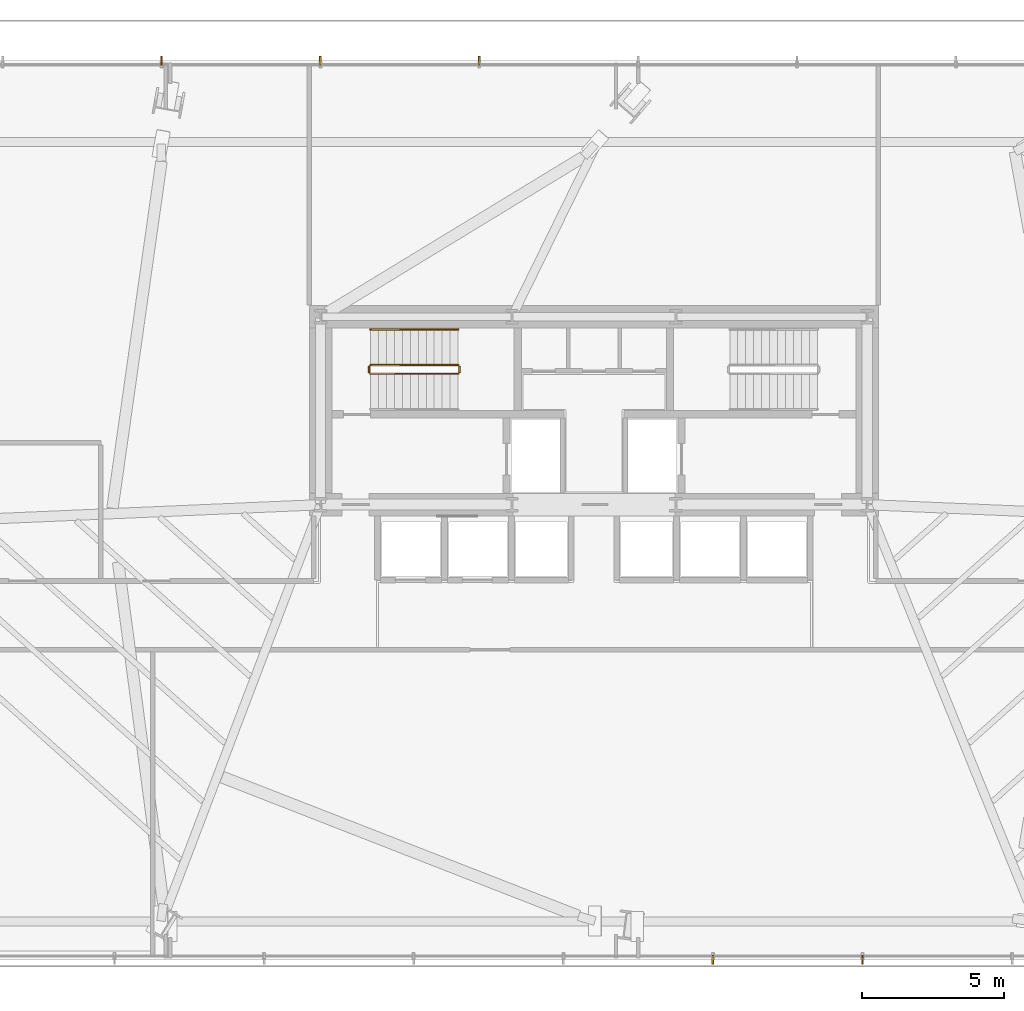
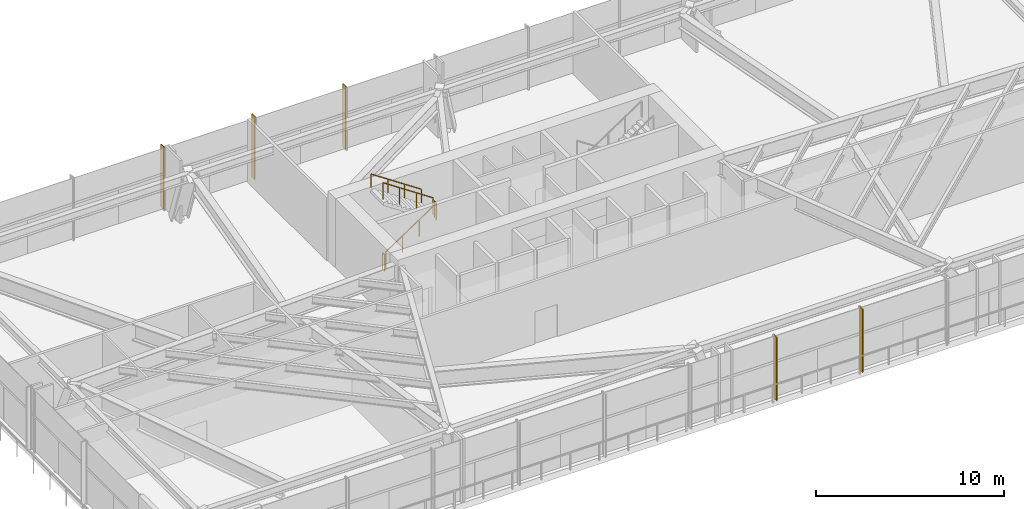
# One storey, part 25 of 30: 5 railings, 5 shading devices.
"""IFC4 building model written with IfcOpenShell, lengths in metres."""

from ifc_helpers import new_model, si_unit, direction, frame, origin, origin_2d, place, context, subcontext, project, spatial, rectangle, extrude, source, transform, mapped, material, type_object, type_shapes, element, save


model = new_model("IFC4")

# Units and contexts
model_context = context("Model", 3, precision=1e-05, world=origin(), true_north=direction((0.0, 1.0)))
body_context = subcontext(model_context, "Body", "Model", "MODEL_VIEW")
ifc_project = project(units=[si_unit("LENGTHUNIT", "METRE"), si_unit("AREAUNIT", "SQUARE_METRE"), si_unit("VOLUMEUNIT", "CUBIC_METRE"), si_unit("PLANEANGLEUNIT", "RADIAN"), si_unit("MASSUNIT", "GRAM", prefix="KILO")], contexts=[model_context])

# Site, building, storey
site_placement = place(None, origin())
site = spatial("IfcSite", under=ifc_project, at=site_placement, CompositionType="ELEMENT")
building_placement = place(site_placement, origin())
building = spatial("IfcBuilding", under=site, at=building_placement, Name="Astriad Promenade Condominiums", CompositionType="ELEMENT")
storey_placement = place(building_placement, frame((0.0, 0.0, 14.0)))
storey = spatial("IfcBuildingStorey", under=building, at=storey_placement, Name="L03", CompositionType="ELEMENT", Elevation=14.0)

# Shading devices
ifc_material_1 = material(Name="Anodised aluminium 6063-T6 Black Fin", Category="aluminium")
shading_device_type = type_object("IfcShadingDeviceType", Name="FIN-BLACK-320", PredefinedType="USERDEFINED", material=ifc_material_1)
shared_shape_1 = source(origin(), body_context, "Body", "SweptSolid", [
    extrude(rectangle(XDim=0.06494140625, YDim=0.320068359375, at=origin_2d()), origin(), (0.0, 0.0, 1.0), 4.080078125),
])
type_shapes(shading_device_type, [shared_shape_1])
for number, where, z_axis, x_axis, name in (
    (1, (20.81005859375, 32.989990234375, 0.0), (0.0, 0.0, 1.0), (1.0, 0.0, 0.0), "CW-L03-N-FIN-02"),
    (2, (26.389892578125, 32.989990234375, 0.0), (0.0, 0.0, 1.0), (1.0, 0.0, 0.0), "CW-L03-N-FIN-03"),
    (3, (31.969970703125, 32.989990234375, 0.0), (0.0, 0.0, 1.0), (1.0, 0.0, 0.0), "CW-L03-N-FIN-04"),
    (4, (45.431884765625, 1.409912109375, 0.0), (0.0, 0.0, 1.0), (-1.0, 0.0, 0.0), "CW-L03-S-FIN-04"),
    (5, (40.17724609375, 1.409912109375, 0.0), (0.0, 0.0, 1.0), (-1.0, 0.0, 0.0), "CW-L03-S-FIN-05"),
):
    element("IfcShadingDevice", number, at=place(storey_placement, frame(where, z_axis=z_axis, x_axis=x_axis)), inside=storey, type_object=shading_device_type, Name=name, ObjectType="FIN", PredefinedType="USERDEFINED", context=body_context, shape_type="MappedRepresentation", body=[
        mapped(shared_shape_1, transform((0.0, 0.0, 0.0), scale=1.0)),
    ])

# Railings
ifc_material_2 = material(Name="Painted Galvanised Steel Guardrail", Category="steel")
railing_type_1 = type_object("IfcRailingType", Name="GRD-STAIR-1100", PredefinedType="GUARDRAIL", material=ifc_material_2)
shared_shape_2 = source(origin(), body_context, "Body", "SweptSolid", [
    extrude(rectangle(XDim=0.048095703125, YDim=0.048095703125, at=origin_2d()), frame((0.0, 0.0, 1.076171875), z_axis=(0.0, 1.0, 0.0), x_axis=(-1.0, 0.0, 0.0)), (0.0, 0.0, 1.0), 0.199951171875),
    extrude(rectangle(XDim=0.0419921875, YDim=0.0419921875, at=origin_2d()), origin(), (0.0, 0.0, 1.0), 1.052001953125),
    extrude(rectangle(XDim=0.0419921875, YDim=0.0419921875, at=origin_2d()), frame((0.0, 0.199951171875, 0.0)), (0.0, 0.0, 1.0), 1.052001953125),
])
for number, where, name in (
    (6, (31.280029296875, 22.050048828125, 2.25), "L03 ST-1 stair guard 2"),
    (7, (28.10009765625, 22.050048828125, 0.0), "L03 ST-1 stair guard 4"),
):
    element("IfcRailing", number, at=place(storey_placement, frame(where)), inside=storey, type_object=railing_type_1, Name=name, PredefinedType="GUARDRAIL", context=body_context, shape_type="MappedRepresentation", body=[
        mapped(shared_shape_2, transform((0.0, 0.0, 0.0), scale=1.0)),
    ])
shared_shape_3 = source(origin(), body_context, "Body", "SweptSolid", [
    extrude(rectangle(XDim=0.048095703125, YDim=0.048095703125, at=origin_2d()), frame((0.0, 0.0, 1.076171875), z_axis=(0.830913701846, 0.0, 0.55640131208), x_axis=(0.0, 1.0, 0.0)), (0.0, 0.0, 1.0), 3.706787109375),
    extrude(rectangle(XDim=0.0419921875, YDim=0.0419921875, at=origin_2d()), origin(), (0.0, 0.0, 1.0), 1.052001953125),
    extrude(rectangle(XDim=0.0419921875, YDim=0.0419921875, at=origin_2d()), frame((1.026611328125, 0.0, 0.6875)), (0.0, 0.0, 1.0), 1.052001953125),
    extrude(rectangle(XDim=0.0419921875, YDim=0.0419921875, at=origin_2d()), frame((2.053466796875, 0.0, 1.375)), (0.0, 0.0, 1.0), 1.052001953125),
    extrude(rectangle(XDim=0.0419921875, YDim=0.0419921875, at=origin_2d()), frame((3.080078125, 0.0, 2.0625)), (0.0, 0.0, 1.0), 1.052001953125),
])
railing_1_placement = place(storey_placement, frame((28.14990234375, 22.0, 0.1875)))
element("IfcRailing", 8, at=railing_1_placement, inside=storey, type_object=railing_type_1, Name="L03 ST-1 stair guard 1", PredefinedType="GUARDRAIL", context=body_context, shape_type="MappedRepresentation", body=[
    mapped(shared_shape_3, transform((0.0, 0.0, 0.0), scale=1.0)),
])
shared_shape_4 = source(origin(), body_context, "Body", "SweptSolid", [
    extrude(rectangle(XDim=0.048095703125, YDim=0.048095703125, at=origin_2d()), frame((0.0, 0.0, 1.076171875), z_axis=(-0.830913701846, 0.0, 0.55640131208), x_axis=(0.0, -1.0, 0.0)), (0.0, 0.0, 1.0), 3.706787109375),
    extrude(rectangle(XDim=0.0419921875, YDim=0.0419921875, at=origin_2d()), origin(), (0.0, 0.0, 1.0), 1.052001953125),
    extrude(rectangle(XDim=0.0419921875, YDim=0.0419921875, at=origin_2d()), frame((-1.026611328125, 0.0, 0.6875)), (0.0, 0.0, 1.0), 1.052001953125),
    extrude(rectangle(XDim=0.0419921875, YDim=0.0419921875, at=origin_2d()), frame((-2.053466796875, 0.0, 1.375)), (0.0, 0.0, 1.0), 1.052001953125),
    extrude(rectangle(XDim=0.0419921875, YDim=0.0419921875, at=origin_2d()), frame((-3.080078125, 0.0, 2.0625)), (0.0, 0.0, 1.0), 1.052001953125),
])
type_shapes(railing_type_1, [shared_shape_2, shared_shape_3, shared_shape_4])
railing_2_placement = place(storey_placement, frame((31.22998046875, 22.300048828125, 2.4375)))
element("IfcRailing", 9, at=railing_2_placement, inside=storey, type_object=railing_type_1, Name="L03 ST-1 stair guard 3", PredefinedType="GUARDRAIL", context=body_context, shape_type="MappedRepresentation", body=[
    mapped(shared_shape_4, transform((0.0, 0.0, 0.0), scale=1.0)),
])
ifc_material_3 = material(Name="Brushed Stainless Steel Handrail", Category="steel")
railing_type_2 = type_object("IfcRailingType", Name="HRL-STAIR-920", PredefinedType="HANDRAIL", material=ifc_material_3)
shared_shape_5 = source(origin(), body_context, "Body", "SweptSolid", [
    extrude(rectangle(XDim=0.048095703125, YDim=0.048095703125, at=origin_2d()), frame((0.0, 0.0, 0.8759765625), z_axis=(-0.830913701846, 0.0, 0.55640131208), x_axis=(0.0, -1.0, 0.0)), (0.0, 0.0, 1.0), 3.706787109375),
    extrude(rectangle(XDim=0.0419921875, YDim=0.0419921875, at=origin_2d()), origin(), (0.0, 0.0, 1.0), 0.851806640625),
    extrude(rectangle(XDim=0.0419921875, YDim=0.0419921875, at=origin_2d()), frame((-1.026611328125, 0.0, 0.6875)), (0.0, 0.0, 1.0), 0.851806640625),
    extrude(rectangle(XDim=0.0419921875, YDim=0.0419921875, at=origin_2d()), frame((-2.053466796875, 0.0, 1.375)), (0.0, 0.0, 1.0), 0.851806640625),
    extrude(rectangle(XDim=0.0419921875, YDim=0.0419921875, at=origin_2d()), frame((-3.080078125, 0.0, 2.0625)), (0.0, 0.0, 1.0), 0.851806640625),
])
type_shapes(railing_type_2, [shared_shape_5])
railing_3_placement = place(storey_placement, frame((31.22998046875, 23.550048828125, 2.4375)))
element("IfcRailing", 10, at=railing_3_placement, inside=storey, type_object=railing_type_2, Name="L03 ST-1 stair handrail 2", PredefinedType="HANDRAIL", context=body_context, shape_type="MappedRepresentation", body=[
    mapped(shared_shape_5, transform((0.0, 0.0, 0.0), scale=1.0)),
])

save(model, "model.ifc")
